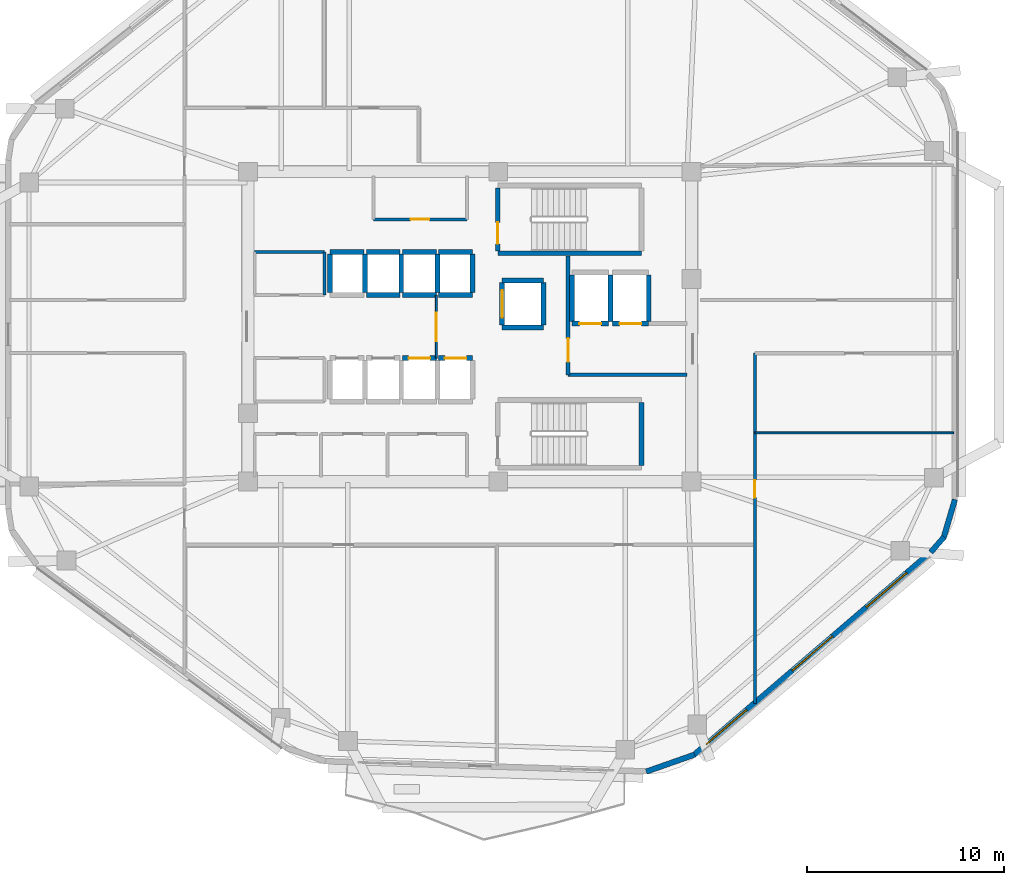
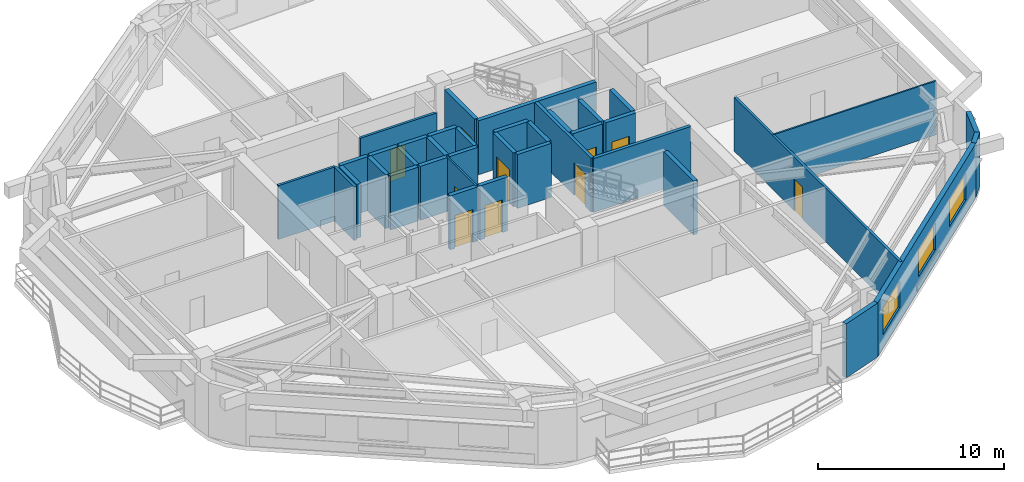
# One storey, part 4 of 9: 38 walls, 10 doors, 3 windows, 13 openings.
"""IFC4 building model written with IfcOpenShell, lengths in metres."""

from ifc_helpers import new_model, si_unit, direction, frame, frame_2d, origin, place, context, subcontext, project, spatial, rectangle, extrude, material, layer, layer_set, type_object, element, fill, save


model = new_model("IFC4")

# Units and contexts
model_context = context("Model", 3, precision=1e-05, world=origin(), true_north=direction((0.0, 1.0)))
body_context = subcontext(model_context, "Body", "Model", "MODEL_VIEW")
ifc_project = project(units=[si_unit("LENGTHUNIT", "METRE"), si_unit("AREAUNIT", "SQUARE_METRE"), si_unit("VOLUMEUNIT", "CUBIC_METRE"), si_unit("PLANEANGLEUNIT", "RADIAN"), si_unit("MASSUNIT", "GRAM", prefix="KILO")], contexts=[model_context])

# Site, building, storey
site_placement = place(None, origin())
site = spatial("IfcSite", under=ifc_project, at=site_placement, CompositionType="ELEMENT")
building_placement = place(site_placement, origin())
building = spatial("IfcBuilding", under=site, at=building_placement, Name="Zulverin Broadcast Headquarters", CompositionType="ELEMENT")
storey_placement = place(building_placement, frame((0.0, 0.0, 189.60009765625)))
storey = spatial("IfcBuildingStorey", under=building, at=storey_placement, Name="L48", CompositionType="ELEMENT", Elevation=189.60009765625)

# Wall, openings, windows
ifc_material_1 = material(Name="Insulated pale-metal clad concrete spandrel C40/50", Category="concrete")
ifc_layer_1 = layer(ifc_material_1, 0.280029296875, Name="Insulated pale-metal clad concrete spandrel C40/50", Category="concrete")
ifc_layer_set_1 = layer_set([ifc_layer_1], Name="Insulated pale-metal clad concrete spandrel C40/50")
wall_type_1 = type_object("IfcWallType", Name="WL-EXT-280", PredefinedType="STANDARD", material=ifc_layer_set_1)
wall_1_placement = place(storey_placement, frame((48.38525390625, 3.413818359375, 0.0), z_axis=(0.0, 0.0, 1.0), x_axis=(0.759700260779, 0.650273414628, 0.0)))
wall_1 = element("IfcWall", 1, at=wall_1_placement, inside=storey, type_object=wall_type_1, Name="L48 Pale-Metal Clad Spandrel Wall 2", PredefinedType="STANDARD", context=body_context, shape_type="SweptSolid", body=[
    extrude(rectangle(XDim=15.880859375, YDim=0.280029296875, at=frame_2d((7.9404296875, 0.0))), origin(), (0.0, 0.0, 1.0), 3.539794921875),
])
opening_1_placement = place(wall_1_placement, frame((0.85009765625, 0.0, 0.89990234375)))
opening_1 = element("IfcOpeningElement", 2, at=opening_1_placement, cuts=wall_1, Name="Opening W-L48-E21", PredefinedType="OPENING", context=body_context, shape_type="SweptSolid", body=[
    extrude(rectangle(XDim=2.699951171875, YDim=1.75, at=frame_2d((1.35009765625, 0.875))), frame((0.0, 0.14990234375, 0.0), z_axis=(0.0, -1.0, 0.0), x_axis=(1.0, 0.0, 0.0)), (0.0, 0.0, 1.0), 0.300048828125),
])
opening_2_placement = place(wall_1_placement, frame((6.59033203125, 0.0, 0.89990234375)))
opening_2 = element("IfcOpeningElement", 3, at=opening_2_placement, cuts=wall_1, Name="Opening W-L48-E22", PredefinedType="OPENING", context=body_context, shape_type="SweptSolid", body=[
    extrude(rectangle(XDim=2.699951171875, YDim=1.75, at=frame_2d((1.35009765625, 0.875))), frame((0.0, 0.14990234375, 0.0), z_axis=(0.0, -1.0, 0.0), x_axis=(1.0, 0.0, 0.0)), (0.0, 0.0, 1.0), 0.300048828125),
])
opening_3_placement = place(wall_1_placement, frame((11.55078125, 0.0, 0.89990234375)))
opening_3 = element("IfcOpeningElement", 4, at=opening_3_placement, cuts=wall_1, Name="Opening W-L48-E23", PredefinedType="OPENING", context=body_context, shape_type="SweptSolid", body=[
    extrude(rectangle(XDim=2.699951171875, YDim=1.75, at=frame_2d((1.35009765625, 0.875))), frame((0.0, 0.14990234375, 0.0), z_axis=(0.0, -1.0, 0.0), x_axis=(1.0, 0.0, 0.0)), (0.0, 0.0, 1.0), 0.300048828125),
])
ifc_material_2 = material(Name="Pale anodized aluminium frame with solar-control low-E double glazing", Category="aluminium")
window_type = type_object("IfcWindowType", Name="WIN-TWR-2700", PartitioningType="SINGLE_PANEL", PredefinedType="WINDOW", material=ifc_material_2)
window_1_placement = place(opening_1_placement, origin())
window_1 = element("IfcWindow", 5, at=window_1_placement, inside=storey, type_object=window_type, Name="L48 Ribbon Glazing Window 2 1", OverallHeight=1.75, OverallWidth=2.699951171875, PartitioningType="SINGLE_PANEL", PredefinedType="WINDOW", context=body_context, shape_type="SweptSolid", body=[
    extrude(rectangle(XDim=2.699951171875, YDim=1.75, at=frame_2d((1.35009765625, 0.875))), frame((0.0, 0.030029296875, 0.0), z_axis=(0.0, -1.0, 0.0), x_axis=(1.0, 0.0, 0.0)), (0.0, 0.0, 1.0), 0.06005859375),
])
fill(opening_1, window_1)
window_2_placement = place(opening_2_placement, origin())
window_2 = element("IfcWindow", 6, at=window_2_placement, inside=storey, type_object=window_type, Name="L48 Ribbon Glazing Window 2 2", OverallHeight=1.75, OverallWidth=2.699951171875, PartitioningType="SINGLE_PANEL", PredefinedType="WINDOW", context=body_context, shape_type="SweptSolid", body=[
    extrude(rectangle(XDim=2.699951171875, YDim=1.75, at=frame_2d((1.35009765625, 0.875))), frame((0.0, 0.030029296875, 0.0), z_axis=(0.0, -1.0, 0.0), x_axis=(1.0, 0.0, 0.0)), (0.0, 0.0, 1.0), 0.06005859375),
])
fill(opening_2, window_2)
window_3_placement = place(opening_3_placement, origin())
window_3 = element("IfcWindow", 7, at=window_3_placement, inside=storey, type_object=window_type, Name="L48 Ribbon Glazing Window 2 3", OverallHeight=1.75, OverallWidth=2.699951171875, PartitioningType="SINGLE_PANEL", PredefinedType="WINDOW", context=body_context, shape_type="SweptSolid", body=[
    extrude(rectangle(XDim=2.699951171875, YDim=1.75, at=frame_2d((1.35009765625, 0.875))), frame((0.0, 0.030029296875, 0.0), z_axis=(0.0, -1.0, 0.0), x_axis=(1.0, 0.0, 0.0)), (0.0, 0.0, 1.0), 0.06005859375),
])
fill(opening_3, window_3)

# Walls
wall_2_placement = place(storey_placement, frame((45.974609375, 2.576416015625, 0.0), z_axis=(0.0, 0.0, 1.0), x_axis=(0.943377643365, 0.331720698781, 0.0)))
element("IfcWall", 8, at=wall_2_placement, inside=storey, type_object=wall_type_1, Name="L48 Wind-Shaped Corner Spandrel Wall 1-1", PredefinedType="STANDARD", context=body_context, shape_type="SweptSolid", body=[
    extrude(rectangle(XDim=2.6025390625, YDim=0.280029296875, at=frame_2d((1.30126953125, 0.0))), origin(), (0.0, 0.0, 1.0), 3.539794921875),
])
wall_3_placement = place(storey_placement, frame((60.435791015625, 13.7265625, 0.0), z_axis=(0.0, 0.0, 1.0), x_axis=(0.658571618609, 0.752518055041, 0.0)))
element("IfcWall", 9, at=wall_3_placement, inside=storey, type_object=wall_type_1, Name="L48 Wind-Shaped Corner Spandrel Wall 2-1", PredefinedType="STANDARD", context=body_context, shape_type="SweptSolid", body=[
    extrude(rectangle(XDim=1.03173828125, YDim=0.280029296875, at=frame_2d((0.515869140625, 0.0))), origin(), (0.0, 0.0, 1.0), 3.539794921875),
])
wall_4_placement = place(storey_placement, frame((61.08642578125, 14.450439453125, 0.0), z_axis=(0.0, 0.0, 1.0), x_axis=(0.283660953453, 0.958924639107, 0.0)))
element("IfcWall", 10, at=wall_4_placement, inside=storey, type_object=wall_type_1, Name="L48 Wind-Shaped Corner Spandrel Wall 2-2", PredefinedType="STANDARD", context=body_context, shape_type="SweptSolid", body=[
    extrude(rectangle(XDim=2.04248046875, YDim=0.280029296875, at=frame_2d((1.021240234375, 0.0))), origin(), (0.0, 0.0, 1.0), 3.539794921875),
])

# Wall, opening, door
ifc_material_3 = material(Name="Concrete C40/50", Category="concrete")
ifc_layer_2 = layer(ifc_material_3, 0.199951171875, Name="Concrete C40/50", Category="concrete")
ifc_layer_set_2 = layer_set([ifc_layer_2], Name="Concrete C40/50")
wall_type_2 = type_object("IfcWallType", Name="WL-FFL-200", PredefinedType="SOLIDWALL", material=ifc_layer_set_2)
wall_5_placement = place(storey_placement, frame((42.0, 22.75, 0.0), z_axis=(0.0, 0.0, 1.0), x_axis=(0.0, 1.0, 0.0)))
wall_5 = element("IfcWall", 11, at=wall_5_placement, inside=storey, type_object=wall_type_2, Name="L48 Firefighting Lift Lobby West Wall", PredefinedType="SOLIDWALL", context=body_context, shape_type="SweptSolid", body=[
    extrude(rectangle(XDim=6.050048828125, YDim=0.199951171875, at=frame_2d((3.02490234375, 0.0))), origin(), (0.0, 0.0, 1.0), 3.539794921875),
])
opening_4_placement = place(wall_5_placement, frame((0.64990234375, 0.0, 0.0)))
opening_4 = element("IfcOpeningElement", 12, at=opening_4_placement, cuts=wall_5, Name="Opening D-L48-FFLW", PredefinedType="OPENING", context=body_context, shape_type="SweptSolid", body=[
    extrude(rectangle(XDim=1.199951171875, YDim=2.14990234375, at=frame_2d((0.60009765625, 1.074951171875))), frame((0.0, 0.10986328125, 0.0), z_axis=(0.0, -1.0, 0.0), x_axis=(1.0, 0.0, 0.0)), (0.0, 0.0, 1.0), 0.219970703125),
])
ifc_material_4 = material(Name="Fire-rated steel leaf and frame", Category="steel")
door_type_1 = type_object("IfcDoorType", Name="DR-FFL-1200", OperationType="SINGLE_SWING_RIGHT", PredefinedType="DOOR", material=ifc_material_4)
door_1_placement = place(opening_4_placement, origin())
door_1 = element("IfcDoor", 13, at=door_1_placement, inside=storey, type_object=door_type_1, Name="L48 Firefighting Lift Lobby Door", OperationType="SINGLE_SWING_RIGHT", OverallHeight=2.14990234375, OverallWidth=1.199951171875, PredefinedType="DOOR", context=body_context, shape_type="SweptSolid", body=[
    extrude(rectangle(XDim=1.199951171875, YDim=2.14990234375, at=frame_2d((0.60009765625, 1.074951171875))), frame((0.0, 0.02490234375, 0.0), z_axis=(0.0, -1.0, 0.0), x_axis=(1.0, 0.0, 0.0)), (0.0, 0.0, 1.0), 0.050048828125),
])
fill(opening_4, door_1)

# Wall
wall_6_placement = place(storey_placement, frame((42.0, 22.75, 0.0), z_axis=(0.0, 0.0, 1.0), x_axis=(1.0, 0.0, 0.0)))
element("IfcWall", 14, at=wall_6_placement, inside=storey, type_object=wall_type_2, Name="L48 Firefighting Lift Lobby South Wall", PredefinedType="SOLIDWALL", context=body_context, shape_type="SweptSolid", body=[
    extrude(rectangle(XDim=6.050048828125, YDim=0.199951171875, at=frame_2d((3.02490234375, 0.0))), origin(), (0.0, 0.0, 1.0), 3.539794921875),
])

# Wall, opening, door
ifc_material_5 = material(Name="Fire-rated acoustic laminated glass screen", Category="glass")
ifc_layer_3 = layer(ifc_material_5, 0.10009765625, Name="Fire-rated acoustic laminated glass screen", Category="glass")
ifc_layer_set_3 = layer_set([ifc_layer_3], Name="Fire-rated acoustic laminated glass screen")
wall_type_3 = type_object("IfcWallType", Name="WL-GLAZ-100", PredefinedType="PARTITIONING", material=ifc_layer_set_3)
wall_7_placement = place(storey_placement, frame((35.300048828125, 23.60009765625, 0.0), z_axis=(0.0, 0.0, 1.0), x_axis=(0.0, 1.0, 0.0)))
wall_7 = element("IfcWall", 15, at=wall_7_placement, inside=storey, type_object=wall_type_3, Name="L48 Central Core Smoke Vestibule Screen", PredefinedType="PARTITIONING", context=body_context, shape_type="SweptSolid", body=[
    extrude(rectangle(XDim=3.199951171875, YDim=0.10009765625, at=frame_2d((1.60009765625, 0.0))), origin(), (0.0, 0.0, 1.0), 3.539794921875),
])
opening_5_placement = place(wall_7_placement, frame((0.85009765625, 0.0, 0.0)))
opening_5 = element("IfcOpeningElement", 16, at=opening_5_placement, cuts=wall_7, Name="Opening D-L48-CL2", PredefinedType="OPENING", context=body_context, shape_type="SweptSolid", body=[
    extrude(rectangle(XDim=1.449951171875, YDim=2.1201171875, at=frame_2d((0.72509765625, 1.06005859375))), frame((0.0, 0.06005859375, 0.0), z_axis=(0.0, -1.0, 0.0), x_axis=(1.0, 0.0, 0.0)), (0.0, 0.0, 1.0), 0.1201171875),
])
ifc_material_6 = material(Name="Fire-rated acoustic glazed double leaf", Category="glass")
door_type_2 = type_object("IfcDoorType", Name="DR-GLZ-1450", OperationType="DOUBLE_DOOR_SINGLE_SWING", PredefinedType="DOOR", material=ifc_material_6)
door_2_placement = place(opening_5_placement, origin())
door_2 = element("IfcDoor", 17, at=door_2_placement, inside=storey, type_object=door_type_2, Name="L48 Central Core Smoke Vestibule Door", OperationType="DOUBLE_DOOR_SINGLE_SWING", OverallHeight=2.1201171875, OverallWidth=1.449951171875, PredefinedType="DOOR", context=body_context, shape_type="SweptSolid", body=[
    extrude(rectangle(XDim=1.449951171875, YDim=2.1201171875, at=frame_2d((0.72509765625, 1.06005859375))), frame((0.0, 0.02490234375, 0.0), z_axis=(0.0, -1.0, 0.0), x_axis=(1.0, 0.0, 0.0)), (0.0, 0.0, 1.0), 0.050048828125),
])
fill(opening_5, door_2)

# Wall
wall_8_placement = place(storey_placement, frame((51.5, 19.800048828125, 0.0), z_axis=(0.0, 0.0, 1.0), x_axis=(1.0, 0.0, 0.0)))
element("IfcWall", 18, at=wall_8_placement, inside=storey, type_object=wall_type_3, Name="L48 Room Partition Wall RP-10", PredefinedType="PARTITIONING", context=body_context, shape_type="SweptSolid", body=[
    extrude(rectangle(XDim=10.094970703125, YDim=0.10009765625, at=frame_2d((5.04736328125, 0.0))), origin(), (0.0, 0.0, 1.0), 3.539794921875),
])

# Wall, opening, door
ifc_material_7 = material(Name="Fire-rated gypsum stud partition", Category="gypsum")
ifc_layer_4 = layer(ifc_material_7, 0.14990234375, Name="Fire-rated gypsum stud partition", Category="gypsum")
ifc_layer_set_4 = layer_set([ifc_layer_4], Name="Fire-rated gypsum stud partition")
wall_type_4 = type_object("IfcWallType", Name="WL-PART-150", PredefinedType="PARTITIONING", material=ifc_layer_set_4)
wall_9_placement = place(storey_placement, frame((32.10009765625, 30.64990234375, 0.0), z_axis=(0.0, 0.0, 1.0), x_axis=(1.0, 0.0, 0.0)))
wall_9 = element("IfcWall", 19, at=wall_9_placement, inside=storey, type_object=wall_type_4, Name="L48 Core Accessible WC & Electrical Riser Front Wall", PredefinedType="PARTITIONING", context=body_context, shape_type="SweptSolid", body=[
    extrude(rectangle(XDim=4.75, YDim=0.14990234375, at=frame_2d((2.375, 0.0))), origin(), (0.0, 0.0, 1.0), 3.539794921875),
])
opening_6_placement = place(wall_9_placement, frame((1.89990234375, 0.0, 0.0)))
opening_6 = element("IfcOpeningElement", 20, at=opening_6_placement, cuts=wall_9, Name="Opening D-L48-NC1", PredefinedType="OPENING", context=body_context, shape_type="SweptSolid", body=[
    extrude(rectangle(XDim=0.949951171875, YDim=2.10009765625, at=frame_2d((0.47509765625, 1.050048828125))), frame((0.0, 0.0849609375, 0.0), z_axis=(0.0, -1.0, 0.0), x_axis=(1.0, 0.0, 0.0)), (0.0, 0.0, 1.0), 0.169921875),
])
ifc_material_8 = material(Name="Fire-rated moisture-resistant laminate leaf", Category="wood")
door_type_3 = type_object("IfcDoorType", Name="DR-WC-950", OperationType="SINGLE_SWING_LEFT", PredefinedType="DOOR", material=ifc_material_8)
door_3_placement = place(opening_6_placement, origin())
door_3 = element("IfcDoor", 21, at=door_3_placement, inside=storey, type_object=door_type_3, Name="L48 Accessible WC & Electrical Riser Door", OperationType="SINGLE_SWING_LEFT", OverallHeight=2.10009765625, OverallWidth=0.949951171875, PredefinedType="DOOR", context=body_context, shape_type="SweptSolid", body=[
    extrude(rectangle(XDim=0.949951171875, YDim=2.10009765625, at=frame_2d((0.47509765625, 1.050048828125))), frame((0.0, 0.02490234375, 0.0), z_axis=(0.0, -1.0, 0.0), x_axis=(1.0, 0.0, 0.0)), (0.0, 0.0, 1.0), 0.050048828125),
])
fill(opening_6, door_3)

# Walls
wall_10_placement = place(storey_placement, frame((26.070068359375, 29.0, 0.0), z_axis=(0.0, 0.0, 1.0), x_axis=(1.0, 0.0, 0.0)))
element("IfcWall", 22, at=wall_10_placement, inside=storey, type_object=wall_type_4, Name="L48 Broadcast Signal Patch Room N Wall", PredefinedType="PARTITIONING", context=body_context, shape_type="SweptSolid", body=[
    extrude(rectangle(XDim=3.550048828125, YDim=0.14990234375, at=frame_2d((1.77490234375, 0.0))), origin(), (0.0, 0.0, 1.0), 3.539794921875),
])
wall_11_placement = place(storey_placement, frame((29.6201171875, 26.800048828125, 0.0), z_axis=(0.0, 0.0, 1.0), x_axis=(0.0, 1.0, 0.0)))
element("IfcWall", 23, at=wall_11_placement, inside=storey, type_object=wall_type_4, Name="L48 Broadcast Signal Patch Room E Wall", PredefinedType="PARTITIONING", context=body_context, shape_type="SweptSolid", body=[
    extrude(rectangle(XDim=2.199951171875, YDim=0.14990234375, at=frame_2d((1.10009765625, 0.0))), origin(), (0.0, 0.0, 1.0), 3.539794921875),
])

# Wall, opening, door
wall_12_placement = place(storey_placement, frame((51.5, 6.03564453125, 0.0), z_axis=(0.0, 0.0, 1.0), x_axis=(0.0, 1.0, 0.0)))
wall_12 = element("IfcWall", 24, at=wall_12_placement, inside=storey, type_object=wall_type_4, Name="L48 Gallery Partition Wall CG-01", PredefinedType="PARTITIONING", context=body_context, shape_type="SweptSolid", body=[
    extrude(rectangle(XDim=17.814453125, YDim=0.14990234375, at=frame_2d((8.9072265625, 0.0))), origin(), (0.0, 0.0, 1.0), 3.539794921875),
])
opening_7_placement = place(wall_12_placement, frame((10.46435546875, 0.0, 0.0)))
opening_7 = element("IfcOpeningElement", 25, at=opening_7_placement, cuts=wall_12, Name="Opening D-L48-09", PredefinedType="OPENING", context=body_context, shape_type="SweptSolid", body=[
    extrude(rectangle(XDim=0.89990234375, YDim=2.10009765625, at=frame_2d((0.449951171875, 1.050048828125))), frame((0.0, 0.0849609375, 0.0), z_axis=(0.0, -1.0, 0.0), x_axis=(1.0, 0.0, 0.0)), (0.0, 0.0, 1.0), 0.169921875),
])
ifc_material_9 = material(Name="Fire-rated hardwood veneer timber leaf", Category="wood")
door_type_4 = type_object("IfcDoorType", Name="DR-ROOM-900", OperationType="SINGLE_SWING_RIGHT", PredefinedType="DOOR", material=ifc_material_9)
door_4_placement = place(opening_7_placement, origin())
door_4 = element("IfcDoor", 26, at=door_4_placement, inside=storey, type_object=door_type_4, Name="L48 Tea Pantry Door", OperationType="SINGLE_SWING_RIGHT", OverallHeight=2.10009765625, OverallWidth=0.89990234375, PredefinedType="DOOR", context=body_context, shape_type="SweptSolid", body=[
    extrude(rectangle(XDim=0.89990234375, YDim=2.10009765625, at=frame_2d((0.449951171875, 1.050048828125))), frame((0.0, 0.02490234375, 0.0), z_axis=(0.0, -1.0, 0.0), x_axis=(1.0, 0.0, 0.0)), (0.0, 0.0, 1.0), 0.050048828125),
])
fill(opening_7, door_4)

# Wall
ifc_material_10 = material(Name="Concrete C50/60", Category="concrete")
ifc_layer_5 = layer(ifc_material_10, 0.25, Name="Concrete C50/60", Category="concrete")
ifc_layer_set_5 = layer_set([ifc_layer_5], Name="Concrete C50/60")
wall_type_5 = type_object("IfcWallType", Name="WL-SHAFT-250", PredefinedType="SHEAR", material=ifc_layer_set_5)
wall_13_placement = place(storey_placement, frame((38.425048828125, 28.925048828125, 0.0), z_axis=(0.0, 0.0, 1.0), x_axis=(1.0, 0.0, 0.0)))
element("IfcWall", 27, at=wall_13_placement, inside=storey, type_object=wall_type_5, Name="L48 ST-1 Enclosure Wall S", PredefinedType="SHEAR", context=body_context, shape_type="SweptSolid", body=[
    extrude(rectangle(XDim=7.300048828125, YDim=0.25, at=frame_2d((3.64990234375, 0.0))), origin(), (0.0, 0.0, 1.0), 3.539794921875),
])

# Wall, opening, door
wall_14_placement = place(storey_placement, frame((38.425048828125, 29.050048828125, 0.0), z_axis=(0.0, 0.0, 1.0), x_axis=(0.0, 1.0, 0.0)))
wall_14 = element("IfcWall", 28, at=wall_14_placement, inside=storey, type_object=wall_type_5, Name="L48 ST-1 Enclosure Wall W", PredefinedType="SHEAR", context=body_context, shape_type="SweptSolid", body=[
    extrude(rectangle(XDim=3.199951171875, YDim=0.25, at=frame_2d((1.60009765625, 0.0))), origin(), (0.0, 0.0, 1.0), 3.539794921875),
])
opening_8_placement = place(wall_14_placement, frame((0.35009765625, 0.0, 0.0)))
opening_8 = element("IfcOpeningElement", 29, at=opening_8_placement, cuts=wall_14, Name="Opening D-L48-ST-1", PredefinedType="OPENING", context=body_context, shape_type="SweptSolid", body=[
    extrude(rectangle(XDim=1.10009765625, YDim=2.14990234375, at=frame_2d((0.550048828125, 1.074951171875))), frame((0.0, 0.135009765625, 0.0), z_axis=(0.0, -1.0, 0.0), x_axis=(1.0, 0.0, 0.0)), (0.0, 0.0, 1.0), 0.27001953125),
])
door_type_5 = type_object("IfcDoorType", Name="DR-STAIR-1100", OperationType="SINGLE_SWING_LEFT", PredefinedType="DOOR", material=ifc_material_4)
door_5_placement = place(opening_8_placement, origin())
door_5 = element("IfcDoor", 30, at=door_5_placement, inside=storey, type_object=door_type_5, Name="L48 Exit Stair ST-1 Fire Door", OperationType="SINGLE_SWING_LEFT", OverallHeight=2.14990234375, OverallWidth=1.10009765625, PredefinedType="DOOR", context=body_context, shape_type="SweptSolid", body=[
    extrude(rectangle(XDim=1.10009765625, YDim=2.14990234375, at=frame_2d((0.550048828125, 1.074951171875))), frame((0.0, 0.02490234375, 0.0), z_axis=(0.0, -1.0, 0.0), x_axis=(1.0, 0.0, 0.0)), (0.0, 0.0, 1.0), 0.050048828125),
])
fill(opening_8, door_5)

# Wall
wall_15_placement = place(storey_placement, frame((45.72509765625, 18.14990234375, 0.0), z_axis=(0.0, 0.0, 1.0), x_axis=(0.0, 1.0, 0.0)))
element("IfcWall", 31, at=wall_15_placement, inside=storey, type_object=wall_type_5, Name="L48 ST-2 Enclosure Wall E", PredefinedType="SHEAR", context=body_context, shape_type="SweptSolid", body=[
    extrude(rectangle(XDim=3.2001953125, YDim=0.25, at=frame_2d((1.60009765625, 0.0))), origin(), (0.0, 0.0, 1.0), 3.539794921875),
])

# Wall, opening, door
wall_16_placement = place(storey_placement, frame((33.580078125, 23.60009765625, 0.0), z_axis=(0.0, 0.0, 1.0), x_axis=(1.0, 0.0, 0.0)))
wall_16 = element("IfcWall", 32, at=wall_16_placement, inside=storey, type_object=wall_type_5, Name="L48 Lift PL-M3 Shaft Wall N", PredefinedType="SHEAR", context=body_context, shape_type="SweptSolid", body=[
    extrude(rectangle(XDim=1.719970703125, YDim=0.25, at=frame_2d((0.85986328125, 0.0))), origin(), (0.0, 0.0, 1.0), 3.539794921875),
])
opening_9_placement = place(wall_16_placement, frame((0.31005859375, 0.0, 0.0)))
opening_9 = element("IfcOpeningElement", 33, at=opening_9_placement, cuts=wall_16, Name="Opening LD-PL-M3-L48", PredefinedType="OPENING", context=body_context, shape_type="SweptSolid", body=[
    extrude(rectangle(XDim=1.10009765625, YDim=2.14990234375, at=frame_2d((0.550048828125, 1.074951171875))), frame((0.0, 0.135009765625, 0.0), z_axis=(0.0, -1.0, 0.0), x_axis=(1.0, 0.0, 0.0)), (0.0, 0.0, 1.0), 0.27001953125),
])
ifc_material_11 = material(Name="Brushed stainless steel landing", Category="steel")
door_type_6 = type_object("IfcDoorType", Name="LD-PASS-1100", OperationType="DOUBLE_DOOR_SLIDING", PredefinedType="DOOR", material=ifc_material_11)
door_6_placement = place(opening_9_placement, origin())
door_6 = element("IfcDoor", 34, at=door_6_placement, inside=storey, type_object=door_type_6, Name="L48 Lift PL-M3 Sliding Landing Door", OperationType="DOUBLE_DOOR_SLIDING", OverallHeight=2.14990234375, OverallWidth=1.10009765625, PredefinedType="DOOR", context=body_context, shape_type="SweptSolid", body=[
    extrude(rectangle(XDim=1.10009765625, YDim=2.14990234375, at=frame_2d((0.550048828125, 1.074951171875))), frame((0.0, 0.02490234375, 0.0), z_axis=(0.0, -1.0, 0.0), x_axis=(1.0, 0.0, 0.0)), (0.0, 0.0, 1.0), 0.050048828125),
])
fill(opening_9, door_6)

wall_17_placement = place(storey_placement, frame((35.419921875, 23.60009765625, 0.0), z_axis=(0.0, 0.0, 1.0), x_axis=(1.0, 0.0, 0.0)))
wall_17 = element("IfcWall", 35, at=wall_17_placement, inside=storey, type_object=wall_type_5, Name="L48 Lift PL-M4 Shaft Wall N", PredefinedType="SHEAR", context=body_context, shape_type="SweptSolid", body=[
    extrude(rectangle(XDim=1.719970703125, YDim=0.25, at=frame_2d((0.85986328125, 0.0))), origin(), (0.0, 0.0, 1.0), 3.539794921875),
])
opening_10_placement = place(wall_17_placement, frame((0.31005859375, 0.0, 0.0)))
opening_10 = element("IfcOpeningElement", 36, at=opening_10_placement, cuts=wall_17, Name="Opening LD-PL-M4-L48", PredefinedType="OPENING", context=body_context, shape_type="SweptSolid", body=[
    extrude(rectangle(XDim=1.10009765625, YDim=2.14990234375, at=frame_2d((0.550048828125, 1.074951171875))), frame((0.0, 0.135009765625, 0.0), z_axis=(0.0, -1.0, 0.0), x_axis=(1.0, 0.0, 0.0)), (0.0, 0.0, 1.0), 0.27001953125),
])
door_7_placement = place(opening_10_placement, origin())
door_7 = element("IfcDoor", 37, at=door_7_placement, inside=storey, type_object=door_type_6, Name="L48 Lift PL-M4 Sliding Landing Door", OperationType="DOUBLE_DOOR_SLIDING", OverallHeight=2.14990234375, OverallWidth=1.10009765625, PredefinedType="DOOR", context=body_context, shape_type="SweptSolid", body=[
    extrude(rectangle(XDim=1.10009765625, YDim=2.14990234375, at=frame_2d((0.550048828125, 1.074951171875))), frame((0.0, 0.02490234375, 0.0), z_axis=(0.0, -1.0, 0.0), x_axis=(1.0, 0.0, 0.0)), (0.0, 0.0, 1.0), 0.050048828125),
])
fill(opening_10, door_7)

# Walls
wall_18_placement = place(storey_placement, frame((29.89990234375, 29.0, 0.0), z_axis=(0.0, 0.0, 1.0), x_axis=(1.0, 0.0, 0.0)))
element("IfcWall", 38, at=wall_18_placement, inside=storey, type_object=wall_type_5, Name="L48 Lift PL-H1 Shaft Wall N", PredefinedType="SHEAR", context=body_context, shape_type="SweptSolid", body=[
    extrude(rectangle(XDim=1.72021484375, YDim=0.25, at=frame_2d((0.860107421875, 0.0))), origin(), (0.0, 0.0, 1.0), 3.539794921875),
])
for number, where, z_axis, x_axis, name in (
    (39, (29.89990234375, 26.919921875, 0.0), (0.0, 0.0, 1.0), (0.0, 1.0, 0.0), "L48 Lift PL-H1 Shaft Wall W"),
    (40, (31.679931640625, 26.919921875, 0.0), (0.0, 0.0, 1.0), (0.0, 1.0, 0.0), "L48 Lift PL-H1 Shaft Wall E"),
):
    element("IfcWall", number, at=place(storey_placement, frame(where, z_axis=z_axis, x_axis=x_axis)), inside=storey, type_object=wall_type_5, Name=name, PredefinedType="SHEAR", context=body_context, shape_type="SweptSolid", body=[
        extrude(rectangle(XDim=1.9599609375, YDim=0.25, at=frame_2d((0.97998046875, 0.0))), origin(), (0.0, 0.0, 1.0), 3.539794921875),
    ])
for number, where, z_axis, x_axis, name in (
    (41, (31.739990234375, 26.800048828125, 0.0), (0.0, 0.0, 1.0), (1.0, 0.0, 0.0), "L48 Lift PL-H2 Shaft Wall S"),
    (42, (31.739990234375, 29.0, 0.0), (0.0, 0.0, 1.0), (1.0, 0.0, 0.0), "L48 Lift PL-H2 Shaft Wall N"),
):
    element("IfcWall", number, at=place(storey_placement, frame(where, z_axis=z_axis, x_axis=x_axis)), inside=storey, type_object=wall_type_5, Name=name, PredefinedType="SHEAR", context=body_context, shape_type="SweptSolid", body=[
        extrude(rectangle(XDim=1.719970703125, YDim=0.25, at=frame_2d((0.85986328125, 0.0))), origin(), (0.0, 0.0, 1.0), 3.539794921875),
    ])
wall_19_placement = place(storey_placement, frame((33.52001953125, 26.919921875, 0.0), z_axis=(0.0, 0.0, 1.0), x_axis=(0.0, 1.0, 0.0)))
element("IfcWall", 43, at=wall_19_placement, inside=storey, type_object=wall_type_5, Name="L48 Lift PL-H2 Shaft Wall E", PredefinedType="SHEAR", context=body_context, shape_type="SweptSolid", body=[
    extrude(rectangle(XDim=1.9599609375, YDim=0.25, at=frame_2d((0.97998046875, 0.0))), origin(), (0.0, 0.0, 1.0), 3.539794921875),
])
for number, where, z_axis, x_axis, name in (
    (44, (33.580078125, 26.800048828125, 0.0), (0.0, 0.0, 1.0), (1.0, 0.0, 0.0), "L48 Lift PL-H3 Shaft Wall S"),
    (45, (33.580078125, 29.0, 0.0), (0.0, 0.0, 1.0), (1.0, 0.0, 0.0), "L48 Lift PL-H3 Shaft Wall N"),
):
    element("IfcWall", number, at=place(storey_placement, frame(where, z_axis=z_axis, x_axis=x_axis)), inside=storey, type_object=wall_type_5, Name=name, PredefinedType="SHEAR", context=body_context, shape_type="SweptSolid", body=[
        extrude(rectangle(XDim=1.719970703125, YDim=0.25, at=frame_2d((0.85986328125, 0.0))), origin(), (0.0, 0.0, 1.0), 3.539794921875),
    ])
wall_20_placement = place(storey_placement, frame((35.360107421875, 26.919921875, 0.0), z_axis=(0.0, 0.0, 1.0), x_axis=(0.0, 1.0, 0.0)))
element("IfcWall", 46, at=wall_20_placement, inside=storey, type_object=wall_type_5, Name="L48 Lift PL-H3 Shaft Wall E", PredefinedType="SHEAR", context=body_context, shape_type="SweptSolid", body=[
    extrude(rectangle(XDim=1.9599609375, YDim=0.25, at=frame_2d((0.97998046875, 0.0))), origin(), (0.0, 0.0, 1.0), 3.539794921875),
])
for number, where, z_axis, x_axis, name in (
    (47, (35.419921875, 26.800048828125, 0.0), (0.0, 0.0, 1.0), (1.0, 0.0, 0.0), "L48 Lift PL-H4 Shaft Wall S"),
    (48, (35.419921875, 29.0, 0.0), (0.0, 0.0, 1.0), (1.0, 0.0, 0.0), "L48 Lift PL-H4 Shaft Wall N"),
):
    element("IfcWall", number, at=place(storey_placement, frame(where, z_axis=z_axis, x_axis=x_axis)), inside=storey, type_object=wall_type_5, Name=name, PredefinedType="SHEAR", context=body_context, shape_type="SweptSolid", body=[
        extrude(rectangle(XDim=1.719970703125, YDim=0.25, at=frame_2d((0.85986328125, 0.0))), origin(), (0.0, 0.0, 1.0), 3.539794921875),
    ])
wall_21_placement = place(storey_placement, frame((37.139892578125, 26.919921875, 0.0), z_axis=(0.0, 0.0, 1.0), x_axis=(0.0, 1.0, 0.0)))
element("IfcWall", 49, at=wall_21_placement, inside=storey, type_object=wall_type_5, Name="L48 Lift PL-H4 Shaft Wall E", PredefinedType="SHEAR", context=body_context, shape_type="SweptSolid", body=[
    extrude(rectangle(XDim=1.9599609375, YDim=0.25, at=frame_2d((0.97998046875, 0.0))), origin(), (0.0, 0.0, 1.0), 3.539794921875),
])

# Wall, opening, door
wall_22_placement = place(storey_placement, frame((42.199951171875, 25.35009765625, 0.0), z_axis=(0.0, 0.0, 1.0), x_axis=(1.0, 0.0, 0.0)))
wall_22 = element("IfcWall", 50, at=wall_22_placement, inside=storey, type_object=wall_type_5, Name="L48 Lift FFL-1 Shaft Wall S", PredefinedType="SHEAR", context=body_context, shape_type="SweptSolid", body=[
    extrude(rectangle(XDim=1.85009765625, YDim=0.25, at=frame_2d((0.925048828125, 0.0))), origin(), (0.0, 0.0, 1.0), 3.539794921875),
])
opening_11_placement = place(wall_22_placement, frame((0.375, 0.0, 0.0)))
opening_11 = element("IfcOpeningElement", 51, at=opening_11_placement, cuts=wall_22, Name="Opening LD-FFL-1-L48", PredefinedType="OPENING", context=body_context, shape_type="SweptSolid", body=[
    extrude(rectangle(XDim=1.10009765625, YDim=2.14990234375, at=frame_2d((0.550048828125, 1.074951171875))), frame((0.0, 0.135009765625, 0.0), z_axis=(0.0, -1.0, 0.0), x_axis=(1.0, 0.0, 0.0)), (0.0, 0.0, 1.0), 0.27001953125),
])
ifc_material_12 = material(Name="Fire-rated stainless landing door", Category="steel")
door_type_7 = type_object("IfcDoorType", Name="LD-FFL-1100", OperationType="DOUBLE_DOOR_SLIDING", PredefinedType="DOOR", material=ifc_material_12)
door_8_placement = place(opening_11_placement, origin())
door_8 = element("IfcDoor", 52, at=door_8_placement, inside=storey, type_object=door_type_7, Name="L48 Lift FFL-1 Sliding Landing Door", OperationType="DOUBLE_DOOR_SLIDING", OverallHeight=2.14990234375, OverallWidth=1.10009765625, PredefinedType="DOOR", context=body_context, shape_type="SweptSolid", body=[
    extrude(rectangle(XDim=1.10009765625, YDim=2.14990234375, at=frame_2d((0.550048828125, 1.074951171875))), frame((0.0, 0.02490234375, 0.0), z_axis=(0.0, -1.0, 0.0), x_axis=(1.0, 0.0, 0.0)), (0.0, 0.0, 1.0), 0.050048828125),
])
fill(opening_11, door_8)

# Walls
for number, where, z_axis, x_axis, name in (
    (53, (42.199951171875, 25.469970703125, 0.0), (0.0, 0.0, 1.0), (0.0, 1.0, 0.0), "L48 Lift FFL-1 Shaft Wall W"),
    (54, (44.14990234375, 25.469970703125, 0.0), (0.0, 0.0, 1.0), (0.0, 1.0, 0.0), "L48 Lift FFL-1 Shaft Wall E"),
):
    element("IfcWall", number, at=place(storey_placement, frame(where, z_axis=z_axis, x_axis=x_axis)), inside=storey, type_object=wall_type_5, Name=name, PredefinedType="SHEAR", context=body_context, shape_type="SweptSolid", body=[
        extrude(rectangle(XDim=2.360107421875, YDim=0.25, at=frame_2d((1.18017578125, 0.0))), origin(), (0.0, 0.0, 1.0), 3.539794921875),
    ])

# Wall, opening, door
wall_23_placement = place(storey_placement, frame((44.25, 25.35009765625, 0.0), z_axis=(0.0, 0.0, 1.0), x_axis=(1.0, 0.0, 0.0)))
wall_23 = element("IfcWall", 55, at=wall_23_placement, inside=storey, type_object=wall_type_5, Name="L48 Lift FFL-2 Shaft Wall S", PredefinedType="SHEAR", context=body_context, shape_type="SweptSolid", body=[
    extrude(rectangle(XDim=1.85009765625, YDim=0.25, at=frame_2d((0.925048828125, 0.0))), origin(), (0.0, 0.0, 1.0), 3.539794921875),
])
opening_12_placement = place(wall_23_placement, frame((0.375, 0.0, 0.0)))
opening_12 = element("IfcOpeningElement", 56, at=opening_12_placement, cuts=wall_23, Name="Opening LD-FFL-2-L48", PredefinedType="OPENING", context=body_context, shape_type="SweptSolid", body=[
    extrude(rectangle(XDim=1.10009765625, YDim=2.14990234375, at=frame_2d((0.550048828125, 1.074951171875))), frame((0.0, 0.135009765625, 0.0), z_axis=(0.0, -1.0, 0.0), x_axis=(1.0, 0.0, 0.0)), (0.0, 0.0, 1.0), 0.27001953125),
])
door_9_placement = place(opening_12_placement, origin())
door_9 = element("IfcDoor", 57, at=door_9_placement, inside=storey, type_object=door_type_7, Name="L48 Lift FFL-2 Sliding Landing Door", OperationType="DOUBLE_DOOR_SLIDING", OverallHeight=2.14990234375, OverallWidth=1.10009765625, PredefinedType="DOOR", context=body_context, shape_type="SweptSolid", body=[
    extrude(rectangle(XDim=1.10009765625, YDim=2.14990234375, at=frame_2d((0.550048828125, 1.074951171875))), frame((0.0, 0.02490234375, 0.0), z_axis=(0.0, -1.0, 0.0), x_axis=(1.0, 0.0, 0.0)), (0.0, 0.0, 1.0), 0.050048828125),
])
fill(opening_12, door_9)

# Walls
wall_24_placement = place(storey_placement, frame((46.10009765625, 25.469970703125, 0.0), z_axis=(0.0, 0.0, 1.0), x_axis=(0.0, 1.0, 0.0)))
element("IfcWall", 58, at=wall_24_placement, inside=storey, type_object=wall_type_5, Name="L48 Lift FFL-2 Shaft Wall E", PredefinedType="SHEAR", context=body_context, shape_type="SweptSolid", body=[
    extrude(rectangle(XDim=2.360107421875, YDim=0.25, at=frame_2d((1.18017578125, 0.0))), origin(), (0.0, 0.0, 1.0), 3.539794921875),
])
for number, where, z_axis, x_axis, name in (
    (59, (38.64990234375, 25.14990234375, 0.0), (0.0, 0.0, 1.0), (1.0, 0.0, 0.0), "L48 Lift SVL-1 Shaft Wall S"),
    (60, (38.64990234375, 27.550048828125, 0.0), (0.0, 0.0, 1.0), (1.0, 0.0, 0.0), "L48 Lift SVL-1 Shaft Wall N"),
):
    element("IfcWall", number, at=place(storey_placement, frame(where, z_axis=z_axis, x_axis=x_axis)), inside=storey, type_object=wall_type_5, Name=name, PredefinedType="SHEAR", context=body_context, shape_type="SweptSolid", body=[
        extrude(rectangle(XDim=2.10009765625, YDim=0.25, at=frame_2d((1.050048828125, 0.0))), origin(), (0.0, 0.0, 1.0), 3.539794921875),
    ])

# Wall, opening, door
wall_25_placement = place(storey_placement, frame((38.64990234375, 25.27001953125, 0.0), z_axis=(0.0, 0.0, 1.0), x_axis=(0.0, 1.0, 0.0)))
wall_25 = element("IfcWall", 61, at=wall_25_placement, inside=storey, type_object=wall_type_5, Name="L48 Lift SVL-1 Shaft Wall W", PredefinedType="SHEAR", context=body_context, shape_type="SweptSolid", body=[
    extrude(rectangle(XDim=2.159912109375, YDim=0.25, at=frame_2d((1.080078125, 0.0))), origin(), (0.0, 0.0, 1.0), 3.539794921875),
])
opening_13_placement = place(wall_25_placement, frame((0.3798828125, 0.0, 0.0)))
opening_13 = element("IfcOpeningElement", 62, at=opening_13_placement, cuts=wall_25, Name="Opening LD-SVL-1-L48", PredefinedType="OPENING", context=body_context, shape_type="SweptSolid", body=[
    extrude(rectangle(XDim=1.39990234375, YDim=2.199951171875, at=frame_2d((0.699951171875, 1.10009765625))), frame((0.0, 0.135009765625, 0.0), z_axis=(0.0, -1.0, 0.0), x_axis=(1.0, 0.0, 0.0)), (0.0, 0.0, 1.0), 0.27001953125),
])
ifc_material_13 = material(Name="Heavy-duty stainless landing door", Category="steel")
door_type_8 = type_object("IfcDoorType", Name="LD-GOODS-1400", OperationType="DOUBLE_DOOR_SLIDING", PredefinedType="DOOR", material=ifc_material_13)
door_10_placement = place(opening_13_placement, origin())
door_10 = element("IfcDoor", 63, at=door_10_placement, inside=storey, type_object=door_type_8, Name="L48 Lift SVL-1 Sliding Landing Door", OperationType="DOUBLE_DOOR_SLIDING", OverallHeight=2.199951171875, OverallWidth=1.39990234375, PredefinedType="DOOR", context=body_context, shape_type="SweptSolid", body=[
    extrude(rectangle(XDim=1.39990234375, YDim=2.199951171875, at=frame_2d((0.699951171875, 1.10009765625))), frame((0.0, 0.02490234375, 0.0), z_axis=(0.0, -1.0, 0.0), x_axis=(1.0, 0.0, 0.0)), (0.0, 0.0, 1.0), 0.050048828125),
])
fill(opening_13, door_10)

# Wall
wall_26_placement = place(storey_placement, frame((40.75, 25.27001953125, 0.0), z_axis=(0.0, 0.0, 1.0), x_axis=(0.0, 1.0, 0.0)))
element("IfcWall", 64, at=wall_26_placement, inside=storey, type_object=wall_type_5, Name="L48 Lift SVL-1 Shaft Wall E", PredefinedType="SHEAR", context=body_context, shape_type="SweptSolid", body=[
    extrude(rectangle(XDim=2.159912109375, YDim=0.25, at=frame_2d((1.080078125, 0.0))), origin(), (0.0, 0.0, 1.0), 3.539794921875),
])

save(model, "model.ifc")
